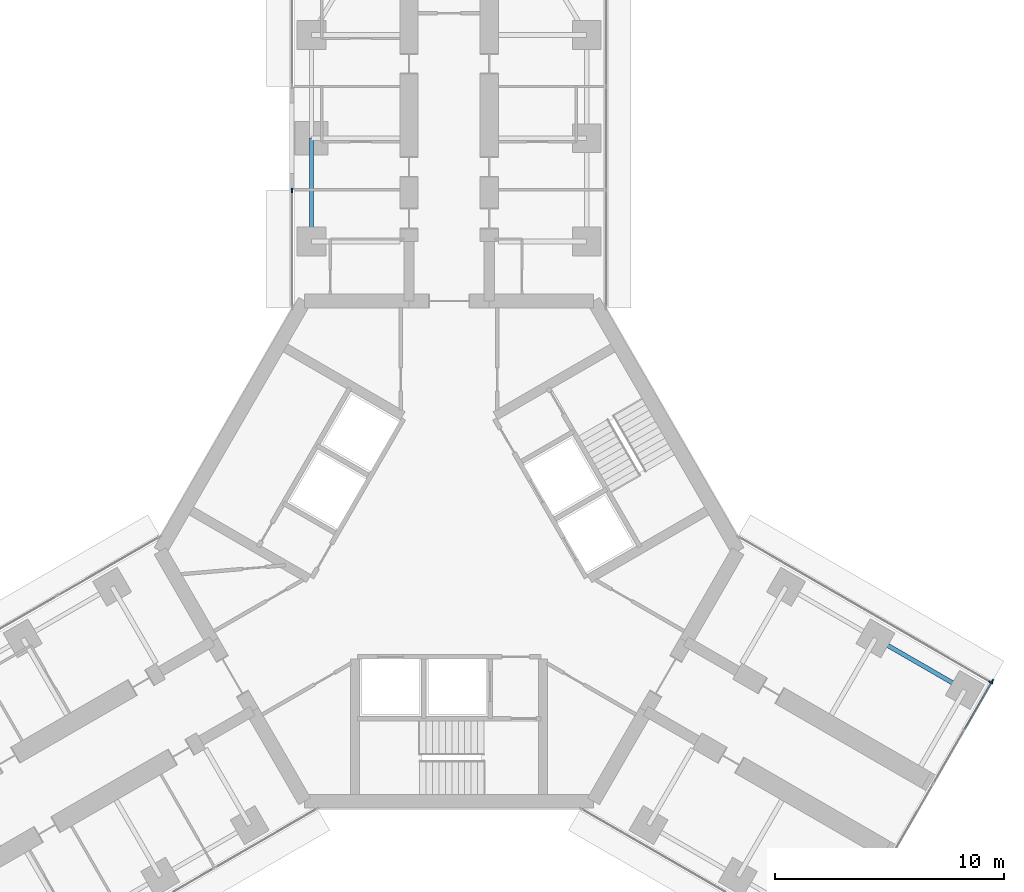
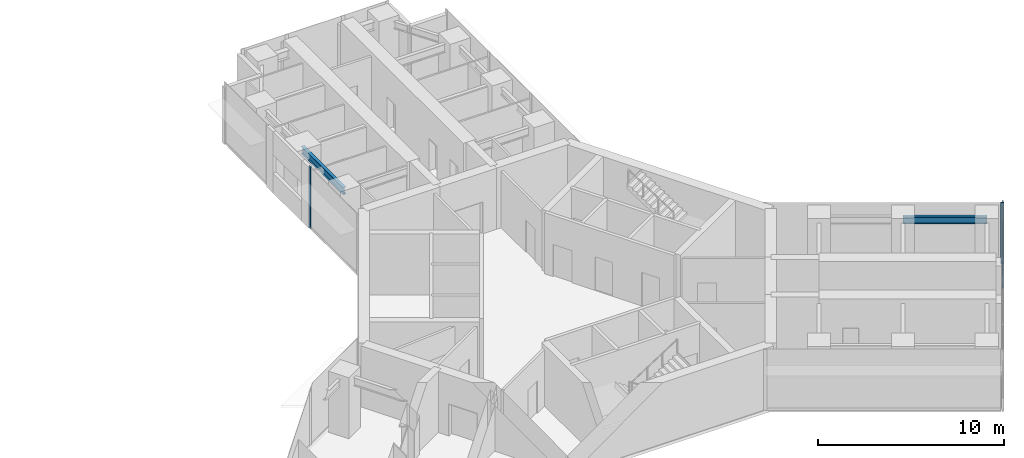
# One storey, part 11 of 23: 4 members, 2 beams, 3 elements without a shape of their own.
"""IFC4 building model written with IfcOpenShell, lengths in metres."""

import ifcopenshell
import ifcopenshell.guid

model = None  # the IFC model being written
_history = None  # IfcOwnerHistory: only IFC2X3 demands one
_inside = {}  # id of a spatial element -> (the spatial element, [elements in it])
_under = {}  # id of a project, library or spatial element -> (it, [spatial elements below it])
_declared = {}  # id of a project -> (the project, [libraries it declares])
_typed = {}  # id of a type object -> (the type object, [elements of that type])
_made_of = {}  # id of a material, layer set ... -> (it, [elements and type objects made of it])


def new_model(schema):
    """Start an empty IFC model of exactly this schema.

    Asked for "IFC4X3", IfcOpenShell would pick the latest addendum, in which some entities
    have other attributes; the version numbers below select the first issue.
    IFC2X3 requires an IfcOwnerHistory on every rooted entity: one is made here for all.
    """
    global model, _history
    if schema == "IFC4X3":
        model = ifcopenshell.file(schema_version=(4, 3, 0, 0))
    else:
        model = ifcopenshell.file(schema=schema)
    _inside.clear()
    _under.clear()
    _declared.clear()
    _typed.clear()
    _made_of.clear()
    _history = None
    if model.schema == "IFC2X3":
        org = make("IfcOrganization", Name="unknown")
        user = make(
            "IfcPersonAndOrganization",
            ThePerson=make("IfcPerson", FamilyName="unknown"),
            TheOrganization=org,
        )
        app = make(
            "IfcApplication",
            ApplicationDeveloper=org,
            Version="unknown",
            ApplicationFullName="unknown",
            ApplicationIdentifier="unknown",
        )
        _history = make(
            "IfcOwnerHistory",
            OwningUser=user,
            OwningApplication=app,
            ChangeAction="ADDED",
            CreationDate=0,
        )
    return model


def make(cls, **values):
    """One entity of the class cls with the attributes given. An attribute that is None is left unset."""
    return model.create_entity(
        cls, **{name: value for name, value in values.items() if value is not None}
    )


def rooted(cls, **values):
    """An entity with a GlobalId (a new one), such as an element, a storey or a relation."""
    return make(cls, GlobalId=ifcopenshell.guid.new(), OwnerHistory=_history, **values)


def si_unit(unit_type, name, prefix=None):
    """IfcSIUnit, for example si_unit("LENGTHUNIT", "METRE", prefix="MILLI")."""
    return make("IfcSIUnit", UnitType=unit_type, Prefix=prefix, Name=name)


def assignment(units):
    """IfcUnitAssignment: the units of a project."""
    return None if units is None else make("IfcUnitAssignment", Units=units)


def point(xyz):
    """IfcCartesianPoint."""
    return None if xyz is None else make("IfcCartesianPoint", Coordinates=xyz)


def direction(xyz):
    """IfcDirection."""
    return None if xyz is None else make("IfcDirection", DirectionRatios=xyz)


def frame(location, z_axis=None, x_axis=None):
    """IfcAxis2Placement3D, a coordinate frame: its origin and axes. An axis left out is left unset."""
    return make(
        "IfcAxis2Placement3D",
        Location=point(location),
        Axis=direction(z_axis),
        RefDirection=direction(x_axis),
    )


def frame_2d(location, x_axis=None):
    """IfcAxis2Placement2D, a coordinate frame in the plane: its origin and x axis."""
    return make(
        "IfcAxis2Placement2D", Location=point(location), RefDirection=direction(x_axis)
    )


def origin():
    """The frame at (0, 0, 0) with its axes left unset."""
    return frame((0.0, 0.0, 0.0))


def origin_2d():
    """The frame at (0, 0) in the plane with its x axis left unset."""
    return frame_2d((0.0, 0.0))


def place(relative_to, where):
    """IfcLocalPlacement: puts the frame where relative to a parent placement (None: the world)."""
    return make(
        "IfcLocalPlacement", PlacementRelTo=relative_to, RelativePlacement=where
    )


def context(
    kind, dimensions, precision=None, world=None, true_north=None, identifier=None
):
    """IfcGeometricRepresentationContext, for example the 3D "Model" context."""
    return make(
        "IfcGeometricRepresentationContext",
        ContextIdentifier=identifier,
        ContextType=kind,
        CoordinateSpaceDimension=dimensions,
        Precision=precision,
        WorldCoordinateSystem=world,
        TrueNorth=true_north,
    )


def subcontext(parent, identifier, kind, view, scale=None):
    """IfcGeometricRepresentationSubContext, for example "Body" below "Model"."""
    return make(
        "IfcGeometricRepresentationSubContext",
        ContextIdentifier=identifier,
        ContextType=kind,
        ParentContext=parent,
        TargetScale=scale,
        TargetView=view,
    )


def project(units=None, contexts=None):
    """IfcProject with its units and contexts."""
    return rooted(
        "IfcProject",
        Name="project",
        RepresentationContexts=contexts,
        UnitsInContext=assignment(units),
    )


def spatial(cls, under=None, at=None, **own):
    """A site, building, storey or space (cls), placed at a placement, below another one or the project."""
    s = rooted(cls, ObjectPlacement=at, **own)
    if under is not None:
        _under.setdefault(under.id(), (under, []))[1].append(s)
    return s


def profile(cls, at=None, kind="AREA", **sizes):
    """A parametric profile (cls). Its sizes go by their IFC names, for example OverallWidth=200.0."""
    return make(cls, ProfileType=kind, Position=at, **sizes)


def rectangle(**sizes):
    """IfcRectangleProfileDef."""
    return profile("IfcRectangleProfileDef", **sizes)


def i_section(**sizes):
    """IfcIShapeProfileDef."""
    return profile("IfcIShapeProfileDef", **sizes)


def extrude(swept, where, along, depth):
    """IfcExtrudedAreaSolid: the profile swept, set in the frame where, extruded along a direction by depth."""
    return make(
        "IfcExtrudedAreaSolid",
        SweptArea=swept,
        Position=where,
        ExtrudedDirection=direction(along),
        Depth=depth,
    )


def shape(context_of_items, identifier, shape_type, items):
    """IfcShapeRepresentation: the items that make up one representation, for example the "Body"."""
    return make(
        "IfcShapeRepresentation",
        ContextOfItems=context_of_items,
        RepresentationIdentifier=identifier,
        RepresentationType=shape_type,
        Items=items,
    )


def material(Name=None, Category=None):
    """IfcMaterial."""
    return make("IfcMaterial", Name=Name, Category=Category)


def material_profile(
    of_material, cross_section, Name=None, Category=None, Priority=None
):
    """IfcMaterialProfile: a cross section and its material."""
    return make(
        "IfcMaterialProfile",
        Name=Name,
        Material=of_material,
        Profile=cross_section,
        Priority=Priority,
        Category=Category,
    )


def profile_set(profiles, Name=None, composite=None):
    """IfcMaterialProfileSet."""
    return make(
        "IfcMaterialProfileSet",
        Name=Name,
        MaterialProfiles=profiles,
        CompositeProfile=composite,
    )


def made_of(thing, what):
    """Note that an element or type object is made of a material, layer set ...; save() writes the relation."""
    if what is not None:
        _made_of.setdefault(what.id(), (what, []))[1].append(thing)
    return thing


def type_object(cls, material=None, **own):
    """A type object (cls), such as IfcWallType, which elements share."""
    return made_of(rooted(cls, **own), material)


def element(
    cls,
    number,
    at=None,
    inside=None,
    cuts=None,
    type_object=None,
    material=None,
    context=None,
    identifier="Body",
    shape_type=None,
    held_by="IfcProductDefinitionShape",
    body=None,
    shapes=None,
    **own,
):
    """One element of the class cls, such as IfcWall. Its Tag is "e" and its number.

    at: its placement. inside: the storey or other place that contains it. cuts: it is an
    opening in that element (IfcRelVoidsElement). A single representation is given by context,
    identifier, shape_type and body (its items); several are given by shapes. held_by: the class
    of the entity that holds the representations. save() writes the other relations.
    """
    e = rooted(cls, Tag="e%d" % number, ObjectPlacement=at, **own)
    if body is not None:
        shapes = [shape(context, identifier, shape_type, body)]
    if shapes is not None:
        e.Representation = make(held_by, Representations=shapes)
    if inside is not None:
        _inside.setdefault(inside.id(), (inside, []))[1].append(e)
    if cuts is not None:
        rooted(
            "IfcRelVoidsElement", RelatingBuildingElement=cuts, RelatedOpeningElement=e
        )
    if type_object is not None:
        _typed.setdefault(type_object.id(), (type_object, []))[1].append(e)
    return made_of(e, material)


def aggregate(whole, parts):
    """IfcRelAggregates: a whole, such as a stair, and the parts it consists of."""
    return rooted("IfcRelAggregates", RelatingObject=whole, RelatedObjects=parts)


def save(model, path):
    """Write the relations noted so far, then the file.

    IfcRelAggregates (storeys below a building ...), IfcRelContainedInSpatialStructure (elements
    in a storey), IfcRelDefinesByType, IfcRelAssociatesMaterial and IfcRelDeclares: one each for
    every whole, place, type object, material and project.
    """
    for whole, parts in _under.values():
        aggregate(whole, parts)
    for where, things in _inside.values():
        rooted(
            "IfcRelContainedInSpatialStructure",
            RelatedElements=things,
            RelatingStructure=where,
        )
    for kind, things in _typed.values():
        rooted("IfcRelDefinesByType", RelatedObjects=things, RelatingType=kind)
    for what, things in _made_of.values():
        rooted("IfcRelAssociatesMaterial", RelatedObjects=things, RelatingMaterial=what)
    for by, libraries in _declared.values():
        rooted("IfcRelDeclares", RelatingContext=by, RelatedDefinitions=libraries)
    model.write(path)


model = new_model("IFC4")

# Units and contexts
model_context = context("Model", 3, precision=1e-05, world=origin(), true_north=direction((0.0, 1.0)))
body_context = subcontext(model_context, "Body", "Model", "MODEL_VIEW")
ifc_project = project(units=[si_unit("LENGTHUNIT", "METRE"), si_unit("AREAUNIT", "SQUARE_METRE"), si_unit("VOLUMEUNIT", "CUBIC_METRE"), si_unit("PLANEANGLEUNIT", "RADIAN"), si_unit("MASSUNIT", "GRAM", prefix="KILO")], contexts=[model_context])

# Site, building, storey
site_placement = place(None, origin())
site = spatial("IfcSite", under=ifc_project, at=site_placement, CompositionType="ELEMENT")
building_placement = place(site_placement, origin())
building = spatial("IfcBuilding", under=site, at=building_placement, Name="Upepo Twin Towers", CompositionType="ELEMENT")
storey_placement = place(building_placement, frame((0.0, 0.0, 161.5)))
storey = spatial("IfcBuildingStorey", under=building, at=storey_placement, Name="L39", CompositionType="ELEMENT", Elevation=161.5)

# Beams
ifc_material_1 = material(Name="Steel S355", Category="steel")
ifc_material_profile_1 = material_profile(ifc_material_1, i_section(OverallWidth=0.1904296875, OverallDepth=0.45703125, WebThickness=0.009033203125, FlangeThickness=0.014404296875, FilletRadius=0.01025390625, at=origin_2d()), Name="UB 457x191x74")
ifc_profile_set_1 = profile_set([ifc_material_profile_1], Name="Steel S355")
beam_type = type_object("IfcBeamType", Name="Beam UB 457x191x74", PredefinedType="BEAM", material=ifc_profile_set_1)
for number, where, z_axis, x_axis, name in (
    (1, (52.5, -4.5, 3.471435546875), (0.0, 1.0, 0.0), (-1.0, 0.0, 0.0), "T2 edge beam AL 13.5-18.0"),
    (2, (77.08837890625, -21.803955078125, 3.471435546875), (0.866031096941, -0.499990139034, 0.0), (0.499990139034, 0.866031096941, 0.0), "T2 edge beam CL 18.0-22.5"),
):
    element("IfcBeam", number, at=place(storey_placement, frame(where, z_axis=z_axis, x_axis=x_axis)), inside=storey, type_object=beam_type, Name=name, PredefinedType="BEAM", context=body_context, shape_type="SweptSolid", body=[
        extrude(i_section(OverallWidth=0.1904296875, OverallDepth=0.45703125, WebThickness=0.009033203125, FlangeThickness=0.014404296875, FilletRadius=0.01025390625, at=origin_2d()), origin(), (0.0, 0.0, 1.0), 4.5),
    ])

# Curtain wall, member
ifc_material_2 = material(Name="Aluminium and fritted glass", Category="aluminium")
curtain_wall_type = type_object("IfcCurtainWallType", Name="Tower curtain wall TW2, fritted glass", PredefinedType="NOTDEFINED", material=ifc_material_2)
curtain_wall_1_placement = place(storey_placement, origin())
curtain_wall_1 = element("IfcCurtainWall", 3, at=curtain_wall_1_placement, inside=storey, type_object=curtain_wall_type, Name="T2 L39 wing A flank L curtain wall", PredefinedType="NOTDEFINED")
ifc_material_3 = material(Name="Aluminium mullion", Category="aluminium")
ifc_material_profile_2 = material_profile(ifc_material_3, rectangle(XDim=0.06494140625, YDim=0.199951171875, at=origin_2d()), Name="MULLION 65x200")
ifc_profile_set_2 = profile_set([ifc_material_profile_2], Name="Aluminium mullion")
member_type_1 = type_object("IfcMemberType", Name="Mullion 65x200 TW2", PredefinedType="MULLION", material=ifc_profile_set_2)
member_1_placement = place(storey_placement, frame((51.64990234375, -2.282470703125, 0.0), z_axis=(0.0, 0.0, 1.0), x_axis=(-1.0, 0.0, 0.0)))
member_1 = element("IfcMember", 4, at=member_1_placement, type_object=member_type_1, Name="T2 L39 wing A flank L curtain wall mullion 2", PredefinedType="MULLION", context=body_context, shape_type="SweptSolid", body=[
    extrude(rectangle(XDim=0.06494140625, YDim=0.199951171875, at=origin_2d()), origin(), (0.0, 0.0, 1.0), 4.0),
])
aggregate(curtain_wall_1, [member_1])

curtain_wall_2_placement = place(storey_placement, origin())
curtain_wall_2 = element("IfcCurtainWall", 5, at=curtain_wall_2_placement, inside=storey, type_object=curtain_wall_type, Name="T2 L39 wing C flank L curtain wall", PredefinedType="NOTDEFINED")
member_2_placement = place(storey_placement, frame((82.11865234375, -23.7265625, 0.0), z_axis=(0.0, 0.0, 1.0), x_axis=(0.50000000792, 0.866025399212, 0.0)))
member_2 = element("IfcMember", 6, at=member_2_placement, type_object=member_type_1, Name="T2 L39 wing C flank L curtain wall mullion 2", PredefinedType="MULLION", context=body_context, shape_type="SweptSolid", body=[
    extrude(rectangle(XDim=0.06494140625, YDim=0.199951171875, at=origin_2d()), origin(), (0.0, 0.0, 1.0), 4.0),
])
aggregate(curtain_wall_2, [member_2])

# Curtain wall, members
curtain_wall_3_placement = place(storey_placement, origin())
curtain_wall_3 = element("IfcCurtainWall", 7, at=curtain_wall_3_placement, inside=storey, type_object=curtain_wall_type, Name="T2 L39 wing C nose curtain wall", PredefinedType="NOTDEFINED")
member_3_placement = place(storey_placement, frame((82.180419921875, -23.684326171875, 0.0), z_axis=(0.0, 0.0, 1.0), x_axis=(-0.866025419745, 0.499999972355, 0.0)))
member_3 = element("IfcMember", 8, at=member_3_placement, type_object=member_type_1, Name="T2 L39 wing C nose curtain wall mullion 6", PredefinedType="MULLION", context=body_context, shape_type="SweptSolid", body=[
    extrude(rectangle(XDim=0.06494140625, YDim=0.199951171875, at=origin_2d()), origin(), (0.0, 0.0, 1.0), 4.0),
])
ifc_material_4 = material(Name="Aluminium transom", Category="aluminium")
ifc_material_profile_3 = material_profile(ifc_material_4, rectangle(XDim=0.06494140625, YDim=0.14990234375, at=origin_2d()), Name="TRANSOM 65x150")
ifc_profile_set_3 = profile_set([ifc_material_profile_3], Name="Aluminium transom")
member_type_2 = type_object("IfcMemberType", Name="Transom 65x150 TW2", PredefinedType="USERDEFINED", material=ifc_profile_set_3)
member_4_placement = place(storey_placement, frame((80.988037109375, -25.749755859375, 0.074951171875), z_axis=(0.50000093428, 0.866024864377, 0.0), x_axis=(-0.866024864377, 0.50000093428, 0.0)))
member_4 = element("IfcMember", 9, at=member_4_placement, type_object=member_type_2, Name="T2 L39 wing C nose curtain wall transom 5", ObjectType="TRANSOM", PredefinedType="USERDEFINED", context=body_context, shape_type="SweptSolid", body=[
    extrude(rectangle(XDim=0.06494140625, YDim=0.14990234375, at=origin_2d()), origin(), (0.0, 0.0, 1.0), 2.3525390625),
])
aggregate(curtain_wall_3, [member_3, member_4])

save(model, "model.ifc")
